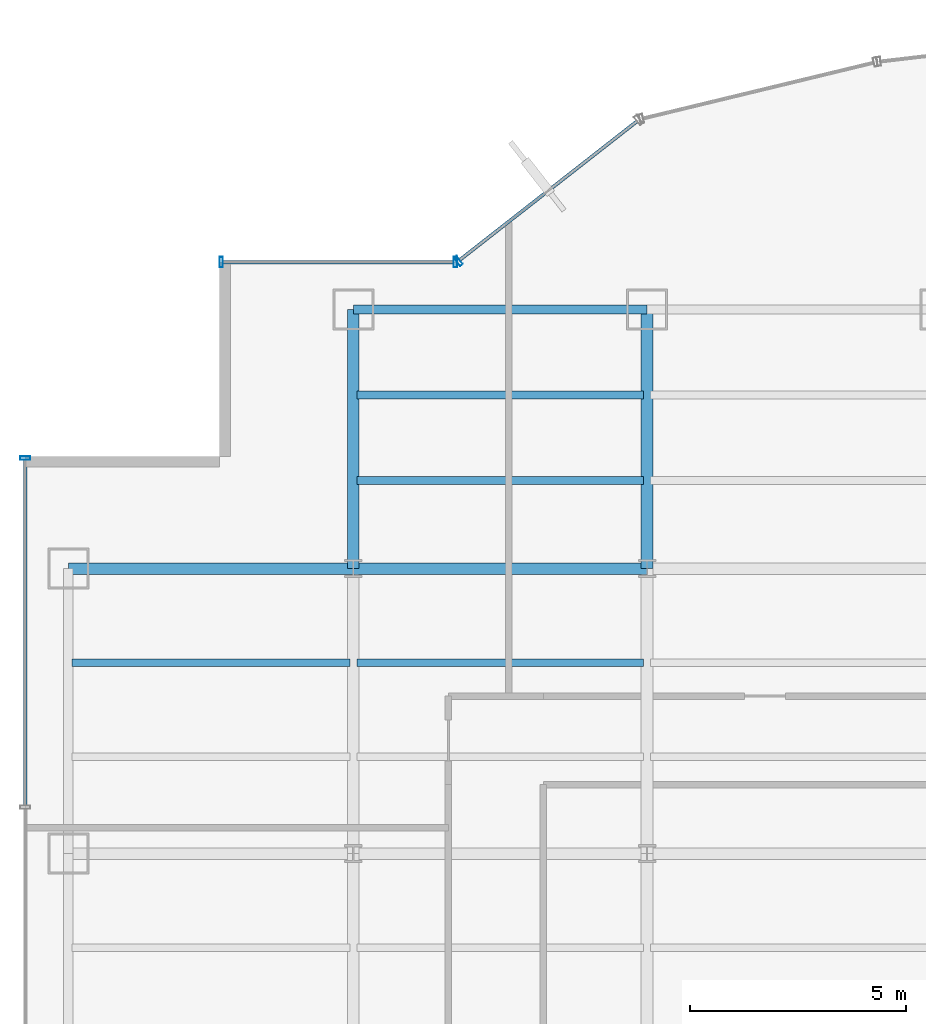
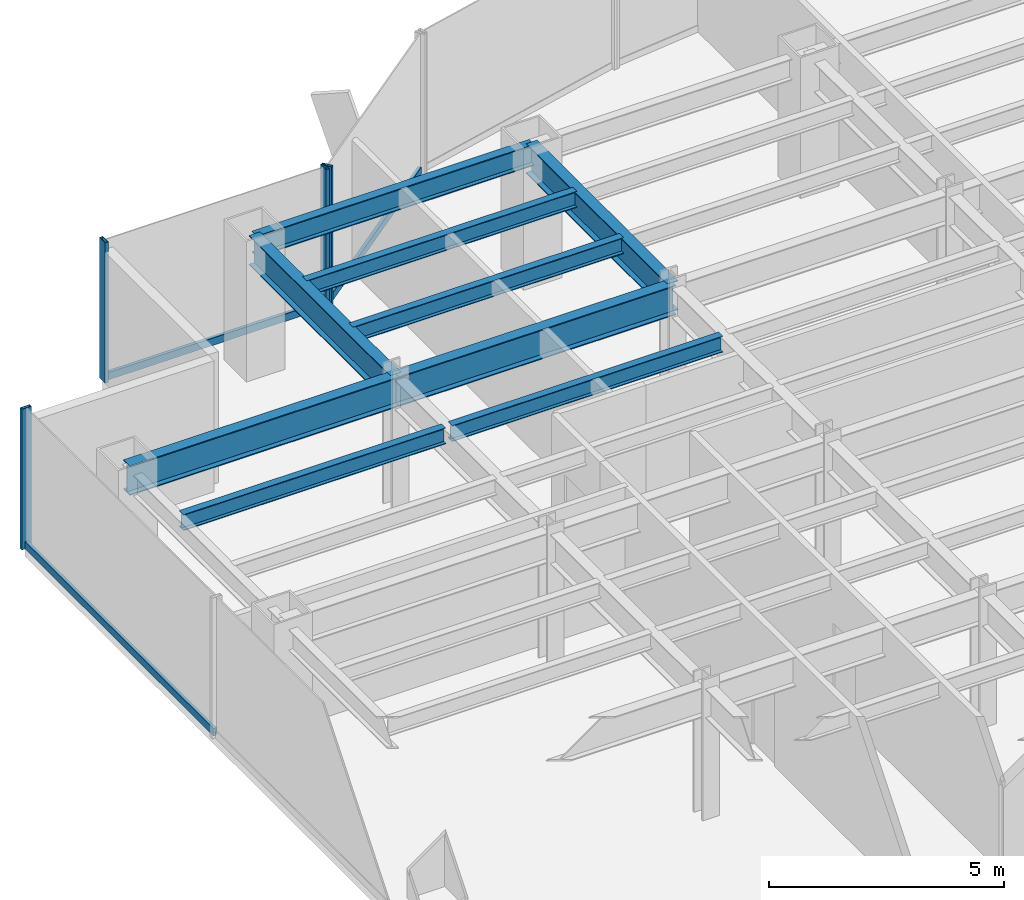
# One storey, part 10 of 23: 9 beams, 7 members, 3 elements without a shape of their own.
"""IFC4 building model written with IfcOpenShell, lengths in metres."""

from ifc_helpers import new_model, si_unit, derived_unit, direction, frame, origin, origin_2d, place, context, subcontext, project, spatial, hollow_rectangle, i_section, extrude, source, transform, mapped, material, material_profile, profile_set, type_object, element, aggregate, save


model = new_model("IFC4")

# Units and contexts
model_context = context("Model", 3, precision=1e-05, world=origin(), true_north=direction((0.0, 1.0)))
body_context = subcontext(model_context, "Body", "Model", "MODEL_VIEW")
ifc_project = project(units=[si_unit("LENGTHUNIT", "METRE"), si_unit("AREAUNIT", "SQUARE_METRE"), si_unit("VOLUMEUNIT", "CUBIC_METRE"), si_unit("PLANEANGLEUNIT", "RADIAN"), si_unit("MASSUNIT", "GRAM", prefix="KILO"), derived_unit("THERMALTRANSMITTANCEUNIT", [(si_unit("POWERUNIT", "WATT"), 1), (si_unit("LENGTHUNIT", "METRE"), -2), (si_unit("THERMODYNAMICTEMPERATUREUNIT", "KELVIN"), -1)])], contexts=[model_context])

# Site, building, storey
site_placement = place(None, origin())
site = spatial("IfcSite", under=ifc_project, at=site_placement, CompositionType="ELEMENT")
building_placement = place(site_placement, origin())
building = spatial("IfcBuilding", under=site, at=building_placement, Name="Skarnbrae Concourse Arena and Tower", CompositionType="ELEMENT")
storey_placement = place(building_placement, frame((0.0, 0.0, 54.39990234375)))
storey = spatial("IfcBuildingStorey", under=building, at=storey_placement, Name="L12", CompositionType="ELEMENT", Elevation=54.39990234375)

# Beams
ifc_material_1 = material(Name="Steel CSA G40.21 350W", Category="steel")
ifc_material_profile_1 = material_profile(ifc_material_1, i_section(OverallWidth=0.26806640625, OverallDepth=0.77001953125, WebThickness=0.015625, FlangeThickness=0.025390625, at=origin_2d()), Name="W760X196")
ifc_profile_set_1 = profile_set([ifc_material_profile_1], Name="Steel CSA G40.21 350W")
beam_type_1 = type_object("IfcBeamType", Name="BM-GIRD-W760X196", PredefinedType="BEAM", material=ifc_profile_set_1)
shared_shape_1 = source(origin(), body_context, "Body", "SweptSolid", [
    extrude(i_section(OverallWidth=0.26806640625, OverallDepth=0.77001953125, WebThickness=0.015625, FlangeThickness=0.025390625, at=origin_2d()), origin(), (0.0, 0.0, 1.0), 6.60009765625),
])
beam_1_placement = place(storey_placement, frame((1.0, 34.39990234375, 3.01513671875), z_axis=(1.0, 0.0, 0.0), x_axis=(0.0, 1.0, 0.0)))
element("IfcBeam", 1, at=beam_1_placement, inside=storey, type_object=beam_type_1, Name="L12 Primary E-W girder Y34.4-1", PredefinedType="BEAM", context=body_context, shape_type="MappedRepresentation", body=[
    mapped(shared_shape_1, transform((0.0, 0.0, 0.0))),
])
shared_shape_2 = source(origin(), body_context, "Body", "SweptSolid", [
    extrude(i_section(OverallWidth=0.26806640625, OverallDepth=0.77001953125, WebThickness=0.015625, FlangeThickness=0.025390625, at=origin_2d()), origin(), (0.0, 0.0, 1.0), 6.7998046875),
])
beam_2_placement = place(storey_placement, frame((7.60009765625, 34.39990234375, 3.01513671875), z_axis=(1.0, 0.0, 0.0), x_axis=(0.0, 1.0, 0.0)))
element("IfcBeam", 2, at=beam_2_placement, inside=storey, type_object=beam_type_1, Name="L12 Primary E-W girder Y34.4-2", PredefinedType="BEAM", context=body_context, shape_type="MappedRepresentation", body=[
    mapped(shared_shape_2, transform((0.0, 0.0, 0.0))),
])
shared_shape_3 = source(origin(), body_context, "Body", "SweptSolid", [
    extrude(i_section(OverallWidth=0.26806640625, OverallDepth=0.77001953125, WebThickness=0.015625, FlangeThickness=0.025390625, at=origin_2d()), origin(), (0.0, 0.0, 1.0), 6.0),
])
for number, where, z_axis, x_axis, name in (
    (3, (7.60009765625, 34.39990234375, 3.01513671875), (0.0, 1.0, 0.0), (-1.0, 0.0, 0.0), "L12 Primary N-S girder X7.6-4"),
    (4, (14.39990234375, 34.39990234375, 3.01513671875), (0.0, 1.0, 0.0), (-1.0, 0.0, 0.0), "L12 Primary N-S girder X14.4-4"),
):
    element("IfcBeam", number, at=place(storey_placement, frame(where, z_axis=z_axis, x_axis=x_axis)), inside=storey, type_object=beam_type_1, Name=name, PredefinedType="BEAM", context=body_context, shape_type="MappedRepresentation", body=[
        mapped(shared_shape_3, transform((0.0, 0.0, 0.0))),
    ])
ifc_material_profile_2 = material_profile(ifc_material_1, i_section(OverallWidth=0.214111328125, OverallDepth=0.549072265625, WebThickness=0.0146484375, FlangeThickness=0.023681640625, at=origin_2d()), Name="W530X138")
ifc_profile_set_2 = profile_set([ifc_material_profile_2], Name="Steel CSA G40.21 350W")
beam_type_2 = type_object("IfcBeamType", Name="BM-SPAN-W530X138", PredefinedType="SPANDREL", material=ifc_profile_set_2)
shared_shape_4 = source(origin(), body_context, "Body", "SweptSolid", [
    extrude(i_section(OverallWidth=0.214111328125, OverallDepth=0.549072265625, WebThickness=0.0146484375, FlangeThickness=0.023681640625, at=origin_2d()), origin(), (0.0, 0.0, 1.0), 6.7998046875),
])
beam_3_placement = place(storey_placement, frame((7.60009765625, 40.39990234375, 3.12548828125), z_axis=(1.0, 0.0, 0.0), x_axis=(0.0, 1.0, 0.0)))
element("IfcBeam", 5, at=beam_3_placement, inside=storey, type_object=beam_type_2, Name="L12 Perimeter spandrel Y40.4-1", PredefinedType="SPANDREL", context=body_context, shape_type="MappedRepresentation", body=[
    mapped(shared_shape_4, transform((0.0, 0.0, 0.0))),
])
ifc_material_profile_3 = material_profile(ifc_material_1, i_section(OverallWidth=0.180908203125, OverallDepth=0.4169921875, WebThickness=0.010986328125, FlangeThickness=0.018310546875, at=origin_2d()), Name="W410X85")
ifc_profile_set_3 = profile_set([ifc_material_profile_3], Name="Steel CSA G40.21 350W")
beam_type_3 = type_object("IfcBeamType", Name="BM-JOIST-W410X85", PredefinedType="JOIST", material=ifc_profile_set_3)
shared_shape_5 = source(origin(), body_context, "Body", "SweptSolid", [
    extrude(i_section(OverallWidth=0.180908203125, OverallDepth=0.4169921875, WebThickness=0.010986328125, FlangeThickness=0.018310546875, at=origin_2d()), origin(), (0.0, 0.0, 1.0), 6.43994140625),
])
beam_4_placement = place(storey_placement, frame((1.080078125, 32.221923828125, 3.191650390625), z_axis=(1.0, 0.0, 0.0), x_axis=(0.0, 1.0, 0.0)))
element("IfcBeam", 6, at=beam_4_placement, inside=storey, type_object=beam_type_3, Name="L12 Secondary floor joist 3.2.1", PredefinedType="JOIST", context=body_context, shape_type="MappedRepresentation", body=[
    mapped(shared_shape_5, transform((0.0, 0.0, 0.0))),
])
shared_shape_6 = source(origin(), body_context, "Body", "SweptSolid", [
    extrude(i_section(OverallWidth=0.180908203125, OverallDepth=0.4169921875, WebThickness=0.010986328125, FlangeThickness=0.018310546875, at=origin_2d()), origin(), (0.0, 0.0, 1.0), 6.64013671875),
])
for number, where, z_axis, x_axis, name in (
    (7, (7.679931640625, 32.221923828125, 3.191650390625), (1.0, 0.0, 0.0), (0.0, 1.0, 0.0), "L12 Secondary floor joist 3.2.2"),
    (8, (7.679931640625, 36.43994140625, 3.191650390625), (1.0, 0.0, 0.0), (0.0, 1.0, 0.0), "L12 Secondary floor joist 4.1.1"),
    (9, (7.679931640625, 38.419921875, 3.191650390625), (1.0, 0.0, 0.0), (0.0, 1.0, 0.0), "L12 Secondary floor joist 4.2.1"),
):
    element("IfcBeam", number, at=place(storey_placement, frame(where, z_axis=z_axis, x_axis=x_axis)), inside=storey, type_object=beam_type_3, Name=name, PredefinedType="JOIST", context=body_context, shape_type="MappedRepresentation", body=[
        mapped(shared_shape_6, transform((0.0, 0.0, 0.0))),
    ])

# Curtain wall, member
ifc_material_2 = material(Name="Bronze anodised aluminium 6063-T6", Category="aluminium")
curtain_wall_type = type_object("IfcCurtainWallType", Name="CW-SYS-02-LOWZONE", PredefinedType="USERDEFINED", material=ifc_material_2)
curtain_wall_1_placement = place(storey_placement, origin())
curtain_wall_1 = element("IfcCurtainWall", 10, at=curtain_wall_1_placement, inside=storey, type_object=curtain_wall_type, Name="L12 Unitised curtain wall CW-L12-E16", ObjectType="UNITISED CURTAIN WALL", PredefinedType="USERDEFINED")
ifc_material_profile_4 = material_profile(ifc_material_2, hollow_rectangle(XDim=0.080078125, YDim=0.18994140625, WallThickness=0.0048828125, at=origin_2d()), Name="ALU-TRAN-80X190")
ifc_profile_set_4 = profile_set([ifc_material_profile_4], Name="Bronze anodised aluminium 6063-T6")
member_type_1 = type_object("IfcMemberType", Name="CWT-CW-02", PredefinedType="USERDEFINED", material=ifc_profile_set_4)
shared_shape_7 = source(origin(), body_context, "Body", "SweptSolid", [
    extrude(hollow_rectangle(XDim=0.080078125, YDim=0.18994140625, WallThickness=0.0048828125, at=origin_2d()), origin(), (0.0, 0.0, 1.0), 5.33984375),
])
member_1_placement = place(storey_placement, frame((9.919921875, 41.5, 0.09521484375), z_axis=(-1.0, 0.0, 0.0), x_axis=(0.0, -1.0, 0.0)))
member_1 = element("IfcMember", 11, at=member_1_placement, type_object=member_type_1, Name="CW-L12-E16 Transom 1", ObjectType="TRANSOM", PredefinedType="USERDEFINED", context=body_context, shape_type="MappedRepresentation", body=[
    mapped(shared_shape_7, transform((0.0, 0.0, 0.0))),
])

curtain_wall_2_placement = place(storey_placement, origin())
curtain_wall_2 = element("IfcCurtainWall", 12, at=curtain_wall_2_placement, inside=storey, type_object=curtain_wall_type, Name="L12 Unitised curtain wall CW-L12-E15", ObjectType="UNITISED CURTAIN WALL", PredefinedType="USERDEFINED")
shared_shape_8 = source(origin(), body_context, "Body", "SweptSolid", [
    extrude(hollow_rectangle(XDim=0.080078125, YDim=0.18994140625, WallThickness=0.0048828125, at=origin_2d()), origin(), (0.0, 0.0, 1.0), 5.215087890625),
])
member_2_placement = place(storey_placement, frame((14.170654296875, 44.762451171875, 0.09521484375), z_axis=(-0.787650196702, -0.616122688784, 0.0), x_axis=(0.616122688784, -0.787650196702, 0.0)))
member_2 = element("IfcMember", 13, at=member_2_placement, type_object=member_type_1, Name="CW-L12-E15 Transom 1", ObjectType="TRANSOM", PredefinedType="USERDEFINED", context=body_context, shape_type="MappedRepresentation", body=[
    mapped(shared_shape_8, transform((0.0, 0.0, 0.0))),
])

curtain_wall_3_placement = place(storey_placement, origin())
curtain_wall_3 = element("IfcCurtainWall", 14, at=curtain_wall_3_placement, inside=storey, type_object=curtain_wall_type, Name="L12 Unitised curtain wall CW-L12-E19", ObjectType="UNITISED CURTAIN WALL", PredefinedType="USERDEFINED")
shared_shape_9 = source(origin(), body_context, "Body", "SweptSolid", [
    extrude(hollow_rectangle(XDim=0.080078125, YDim=0.18994140625, WallThickness=0.0048828125, at=origin_2d()), origin(), (0.0, 0.0, 1.0), 8.0048828125),
])
member_3_placement = place(storey_placement, frame((0.0, 36.919921875, 0.09521484375), z_axis=(0.0, -1.0, 0.0), x_axis=(1.0, 0.0, 0.0)))
member_3 = element("IfcMember", 15, at=member_3_placement, type_object=member_type_1, Name="CW-L12-E19 Transom 1", ObjectType="TRANSOM", PredefinedType="USERDEFINED", context=body_context, shape_type="MappedRepresentation", body=[
    mapped(shared_shape_9, transform((0.0, 0.0, 0.0))),
])

# Member
ifc_material_profile_5 = material_profile(ifc_material_2, hollow_rectangle(XDim=0.080078125, YDim=0.239990234375, WallThickness=0.0048828125, at=origin_2d()), Name="ALU-MULL-80X240")
ifc_profile_set_5 = profile_set([ifc_material_profile_5], Name="Bronze anodised aluminium 6063-T6")
member_type_2 = type_object("IfcMemberType", Name="CWM-CW-02", PredefinedType="MULLION", material=ifc_profile_set_5)
shared_shape_10 = source(origin(), body_context, "Body", "SweptSolid", [
    extrude(hollow_rectangle(XDim=0.080078125, YDim=0.239990234375, WallThickness=0.0048828125, at=origin_2d()), origin(), (0.0, 0.0, 1.0), 3.650146484375),
])
member_4_placement = place(storey_placement, frame((10.031494140625, 41.524658203125, 0.0), z_axis=(0.0, 0.0, 1.0), x_axis=(-0.787651726054, -0.616120733658, 0.0)))
member_4 = element("IfcMember", 16, at=member_4_placement, type_object=member_type_2, Name="CW-L12-E15 Mullion 2", PredefinedType="MULLION", context=body_context, shape_type="MappedRepresentation", body=[
    mapped(shared_shape_10, transform((0.0, 0.0, 0.0))),
])

aggregate(curtain_wall_2, [member_4, member_2])

member_5_placement = place(storey_placement, frame((9.9599609375, 41.5, 0.0), z_axis=(0.0, 0.0, 1.0), x_axis=(-1.0, 0.0, 0.0)))
member_5 = element("IfcMember", 17, at=member_5_placement, type_object=member_type_2, Name="CW-L12-E16 Mullion 1", PredefinedType="MULLION", context=body_context, shape_type="MappedRepresentation", body=[
    mapped(shared_shape_10, transform((0.0, 0.0, 0.0))),
])

member_6_placement = place(storey_placement, frame((4.5400390625, 41.5, 0.0), z_axis=(0.0, 0.0, 1.0), x_axis=(-1.0, 0.0, 0.0)))
member_6 = element("IfcMember", 18, at=member_6_placement, type_object=member_type_2, Name="CW-L12-E16 Mullion 2", PredefinedType="MULLION", context=body_context, shape_type="MappedRepresentation", body=[
    mapped(shared_shape_10, transform((0.0, 0.0, 0.0))),
])

aggregate(curtain_wall_1, [member_5, member_6, member_1])

member_7_placement = place(storey_placement, frame((0.0, 36.9599609375, 0.0), z_axis=(0.0, 0.0, 1.0), x_axis=(0.0, -1.0, 0.0)))
member_7 = element("IfcMember", 19, at=member_7_placement, type_object=member_type_2, Name="CW-L12-E19 Mullion 1", PredefinedType="MULLION", context=body_context, shape_type="MappedRepresentation", body=[
    mapped(shared_shape_10, transform((0.0, 0.0, 0.0))),
])

aggregate(curtain_wall_3, [member_7, member_3])

save(model, "model.ifc")
